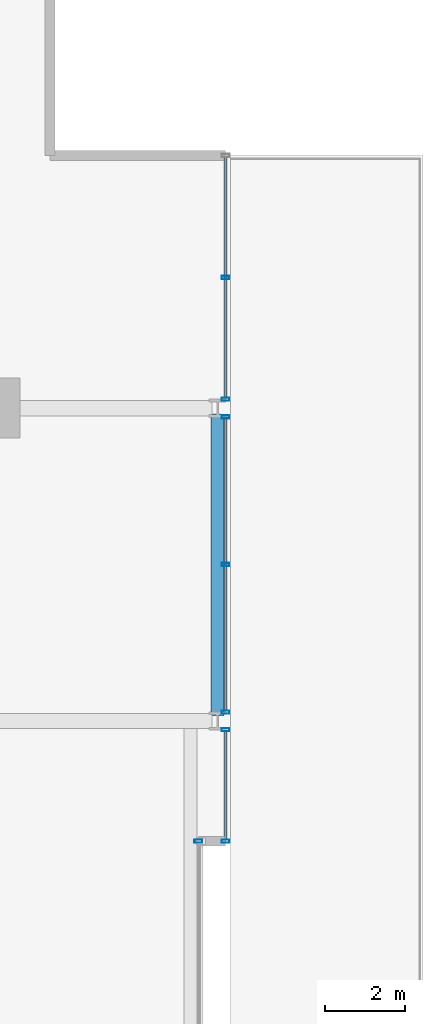
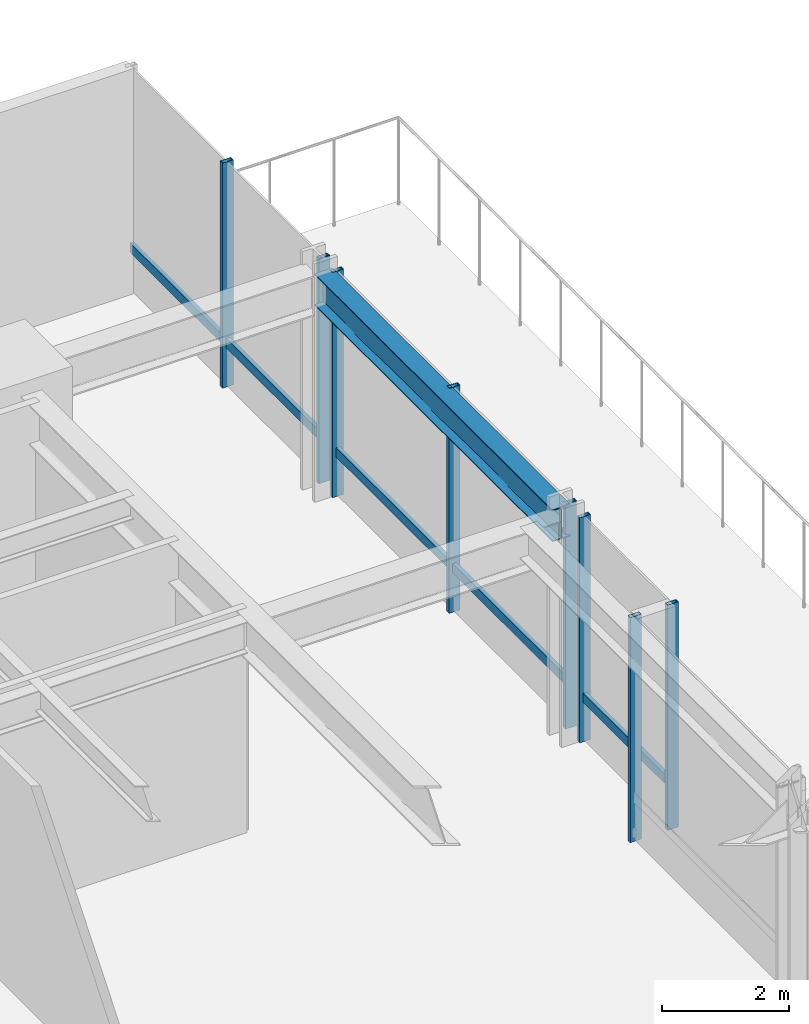
# One storey, part 24 of 33: 11 members, 1 beam, 4 elements without a shape of their own.
"""IFC4 building model written with IfcOpenShell, lengths in metres."""

from ifc_helpers import new_model, si_unit, direction, frame, origin, origin_2d, place, context, subcontext, project, spatial, hollow_rectangle, i_section, extrude, material, layer, layer_set, material_profile, profile_set, type_object, element, aggregate, save


model = new_model("IFC4")

# Units and contexts
model_context = context("Model", 3, precision=1e-05, world=origin(), true_north=direction((0.0, 1.0)))
body_context = subcontext(model_context, "Body", "Model", "MODEL_VIEW")
ifc_project = project(units=[si_unit("LENGTHUNIT", "METRE"), si_unit("AREAUNIT", "SQUARE_METRE"), si_unit("VOLUMEUNIT", "CUBIC_METRE"), si_unit("PLANEANGLEUNIT", "RADIAN"), si_unit("MASSUNIT", "GRAM", prefix="KILO")], contexts=[model_context])

# Site, building, storey
site_placement = place(None, origin())
site = spatial("IfcSite", under=ifc_project, at=site_placement, CompositionType="ELEMENT")
building_placement = place(site_placement, origin())
building = spatial("IfcBuilding", under=site, at=building_placement, Name="Drelvath Grand Hotel", CompositionType="ELEMENT")
storey_placement = place(building_placement, frame((0.0, 0.0, 87.199951171875)))
storey = spatial("IfcBuildingStorey", under=building, at=storey_placement, Name="L21", CompositionType="ELEMENT", Elevation=87.199951171875)

# Curtain wall, member
ifc_material_1 = material(Name="Champagne Bronze Anodised Aluminium Frame", Category="aluminium")
ifc_layer = layer(ifc_material_1, 0.199951171875)
ifc_layer_set = layer_set([ifc_layer], Name="Champagne Bronze Anodised Aluminium Frame")
curtain_wall_type = type_object("IfcCurtainWallType", Name="Stick Curtain Wall CW-03 Champagne Bronze Mid-Rise", PredefinedType="NOTDEFINED", material=ifc_layer_set)
curtain_wall_1_placement = place(storey_placement, origin())
curtain_wall_1 = element("IfcCurtainWall", 1, at=curtain_wall_1_placement, inside=storey, type_object=curtain_wall_type, Name="L21 CW-03 Curtain Wall CW03-L21-EN1", PredefinedType="NOTDEFINED")
ifc_material_profile_1 = material_profile(ifc_material_1, hollow_rectangle(XDim=0.074951171875, YDim=0.179931640625, WallThickness=0.0048828125, at=origin_2d()), Name="HSS180X75X5")
ifc_profile_set_1 = profile_set([ifc_material_profile_1], Name="Champagne Bronze Anodised Aluminium Frame")
member_type_1 = type_object("IfcMemberType", Name="Curtain Wall Horizontal Transom CW-03 HSS180X75X5", PredefinedType="USERDEFINED", material=ifc_profile_set_1)
member_1_placement = place(storey_placement, frame((22.080078125, 35.140380859375, 0.85009765625), z_axis=(0.0, -1.0, 0.0), x_axis=(1.0, 0.0, 0.0)))
member_1 = element("IfcMember", 2, at=member_1_placement, type_object=member_type_1, Name="CW03-L21-EN1 Sill Transom", ObjectType="TRANSOM", PredefinedType="USERDEFINED", context=body_context, shape_type="SweptSolid", body=[
    extrude(hollow_rectangle(XDim=0.074951171875, YDim=0.179931640625, WallThickness=0.0048828125, at=origin_2d()), origin(), (0.0, 0.0, 1.0), 2.700439453125),
])

curtain_wall_2_placement = place(storey_placement, origin())
curtain_wall_2 = element("IfcCurtainWall", 3, at=curtain_wall_2_placement, inside=storey, type_object=curtain_wall_type, Name="L21 CW-03 Curtain Wall CW03-L21-EN2", PredefinedType="NOTDEFINED")
member_2_placement = place(storey_placement, frame((22.080078125, 42.9404296875, 0.85009765625), z_axis=(0.0, -1.0, 0.0), x_axis=(1.0, 0.0, 0.0)))
member_2 = element("IfcMember", 4, at=member_2_placement, type_object=member_type_1, Name="CW03-L21-EN2 Sill Transom", ObjectType="TRANSOM", PredefinedType="USERDEFINED", context=body_context, shape_type="SweptSolid", body=[
    extrude(hollow_rectangle(XDim=0.074951171875, YDim=0.179931640625, WallThickness=0.0048828125, at=origin_2d()), origin(), (0.0, 0.0, 1.0), 7.28076171875),
])

curtain_wall_3_placement = place(storey_placement, origin())
curtain_wall_3 = element("IfcCurtainWall", 5, at=curtain_wall_3_placement, inside=storey, type_object=curtain_wall_type, Name="L21 CW-03 Curtain Wall CW03-L21-EN3", PredefinedType="NOTDEFINED")
member_3_placement = place(storey_placement, frame((22.080078125, 49.4599609375, 0.85009765625), z_axis=(0.0, -1.0, 0.0), x_axis=(1.0, 0.0, 0.0)))
member_3 = element("IfcMember", 6, at=member_3_placement, type_object=member_type_1, Name="CW03-L21-EN3 Sill Transom", ObjectType="TRANSOM", PredefinedType="USERDEFINED", context=body_context, shape_type="SweptSolid", body=[
    extrude(hollow_rectangle(XDim=0.074951171875, YDim=0.179931640625, WallThickness=0.0048828125, at=origin_2d()), origin(), (0.0, 0.0, 1.0), 6.000244140625),
])

# Member
ifc_material_profile_2 = material_profile(ifc_material_1, hollow_rectangle(XDim=0.080078125, YDim=0.199951171875, WallThickness=0.0048828125, at=origin_2d()), Name="HSS200X80X5")
ifc_profile_set_2 = profile_set([ifc_material_profile_2], Name="Champagne Bronze Anodised Aluminium Frame")
member_type_2 = type_object("IfcMemberType", Name="Curtain Wall Vertical Mullion CW-03 HSS200X80X5", PredefinedType="MULLION", material=ifc_profile_set_2)
member_4_placement = place(storey_placement, frame((22.080078125, 35.180419921875, 0.0), z_axis=(0.0, 0.0, 1.0), x_axis=(0.0, 1.0, 0.0)))
member_4 = element("IfcMember", 7, at=member_4_placement, type_object=member_type_2, Name="CW03-L21-EN1 Mullion 1", PredefinedType="MULLION", context=body_context, shape_type="SweptSolid", body=[
    extrude(hollow_rectangle(XDim=0.080078125, YDim=0.199951171875, WallThickness=0.0048828125, at=origin_2d()), origin(), (0.0, 0.0, 1.0), 4.340087890625),
])

member_5_placement = place(storey_placement, frame((22.080078125, 32.39990234375, 0.0), z_axis=(0.0, 0.0, 1.0), x_axis=(0.0, 1.0, 0.0)))
member_5 = element("IfcMember", 8, at=member_5_placement, type_object=member_type_2, Name="CW03-L21-EN1 Mullion 2", PredefinedType="MULLION", context=body_context, shape_type="SweptSolid", body=[
    extrude(hollow_rectangle(XDim=0.080078125, YDim=0.199951171875, WallThickness=0.0048828125, at=origin_2d()), origin(), (0.0, 0.0, 1.0), 4.340087890625),
])

aggregate(curtain_wall_1, [member_4, member_5, member_1])

member_6_placement = place(storey_placement, frame((22.080078125, 42.98046875, 0.0), z_axis=(0.0, 0.0, 1.0), x_axis=(0.0, 1.0, 0.0)))
member_6 = element("IfcMember", 9, at=member_6_placement, type_object=member_type_2, Name="CW03-L21-EN2 Mullion 1", PredefinedType="MULLION", context=body_context, shape_type="SweptSolid", body=[
    extrude(hollow_rectangle(XDim=0.080078125, YDim=0.199951171875, WallThickness=0.0048828125, at=origin_2d()), origin(), (0.0, 0.0, 1.0), 4.340087890625),
])

member_7_placement = place(storey_placement, frame((22.080078125, 39.300048828125, 0.0), z_axis=(0.0, 0.0, 1.0), x_axis=(0.0, 1.0, 0.0)))
member_7 = element("IfcMember", 10, at=member_7_placement, type_object=member_type_2, Name="CW03-L21-EN2 Mullion 2", PredefinedType="MULLION", context=body_context, shape_type="SweptSolid", body=[
    extrude(hollow_rectangle(XDim=0.080078125, YDim=0.199951171875, WallThickness=0.0048828125, at=origin_2d()), origin(), (0.0, 0.0, 1.0), 4.340087890625),
])

member_8_placement = place(storey_placement, frame((22.080078125, 35.61962890625, 0.0), z_axis=(0.0, 0.0, 1.0), x_axis=(0.0, 1.0, 0.0)))
member_8 = element("IfcMember", 11, at=member_8_placement, type_object=member_type_2, Name="CW03-L21-EN2 Mullion 3", PredefinedType="MULLION", context=body_context, shape_type="SweptSolid", body=[
    extrude(hollow_rectangle(XDim=0.080078125, YDim=0.199951171875, WallThickness=0.0048828125, at=origin_2d()), origin(), (0.0, 0.0, 1.0), 4.340087890625),
])

aggregate(curtain_wall_2, [member_6, member_7, member_8, member_2])

member_9_placement = place(storey_placement, frame((22.080078125, 46.459716796875, 0.0), z_axis=(0.0, 0.0, 1.0), x_axis=(0.0, 1.0, 0.0)))
member_9 = element("IfcMember", 12, at=member_9_placement, type_object=member_type_2, Name="CW03-L21-EN3 Mullion 2", PredefinedType="MULLION", context=body_context, shape_type="SweptSolid", body=[
    extrude(hollow_rectangle(XDim=0.080078125, YDim=0.199951171875, WallThickness=0.0048828125, at=origin_2d()), origin(), (0.0, 0.0, 1.0), 4.340087890625),
])

member_10_placement = place(storey_placement, frame((22.080078125, 43.419677734375, 0.0), z_axis=(0.0, 0.0, 1.0), x_axis=(0.0, 1.0, 0.0)))
member_10 = element("IfcMember", 13, at=member_10_placement, type_object=member_type_2, Name="CW03-L21-EN3 Mullion 3", PredefinedType="MULLION", context=body_context, shape_type="SweptSolid", body=[
    extrude(hollow_rectangle(XDim=0.080078125, YDim=0.199951171875, WallThickness=0.0048828125, at=origin_2d()), origin(), (0.0, 0.0, 1.0), 4.340087890625),
])

aggregate(curtain_wall_3, [member_9, member_10, member_3])

# Curtain wall, member
curtain_wall_4_placement = place(storey_placement, origin())
curtain_wall_4 = element("IfcCurtainWall", 14, at=curtain_wall_4_placement, inside=storey, type_object=curtain_wall_type, Name="L21 CW-03 Curtain Wall CW03-L21-EM2", PredefinedType="NOTDEFINED")
member_11_placement = place(storey_placement, frame((21.39990234375, 32.39990234375, 0.0), z_axis=(0.0, 0.0, 1.0), x_axis=(0.0, 1.0, 0.0)))
member_11 = element("IfcMember", 15, at=member_11_placement, type_object=member_type_2, Name="CW03-L21-EM2 Mullion 1", PredefinedType="MULLION", context=body_context, shape_type="SweptSolid", body=[
    extrude(hollow_rectangle(XDim=0.080078125, YDim=0.199951171875, WallThickness=0.0048828125, at=origin_2d()), origin(), (0.0, 0.0, 1.0), 4.340087890625),
])
aggregate(curtain_wall_4, [member_11])

# Beam
ifc_material_2 = material(Name="Steel ASTM A992 Gr 50", Category="steel")
ifc_material_profile_3 = material_profile(ifc_material_2, i_section(OverallWidth=0.323974609375, OverallDepth=0.611083984375, WebThickness=0.0126953125, FlangeThickness=0.01904296875, FilletRadius=0.02197265625, at=origin_2d()), Name="W24X104")
ifc_profile_set_3 = profile_set([ifc_material_profile_3], Name="Steel ASTM A992 Gr 50")
beam_type = type_object("IfcBeamType", Name="Perimeter Spandrel Beam W24X104", PredefinedType="SPANDREL", material=ifc_profile_set_3)
beam_placement = place(storey_placement, frame((21.8798828125, 35.5400390625, 4.03466796875), z_axis=(0.0, 1.0, 0.0), x_axis=(-1.0, 0.0, 0.0)))
element("IfcBeam", 16, at=beam_placement, inside=storey, type_object=beam_type, Name="L21 Spandrel East N", PredefinedType="SPANDREL", context=body_context, shape_type="SweptSolid", body=[
    extrude(i_section(OverallWidth=0.323974609375, OverallDepth=0.611083984375, WebThickness=0.0126953125, FlangeThickness=0.01904296875, FilletRadius=0.02197265625, at=origin_2d()), origin(), (0.0, 0.0, 1.0), 7.52001953125),
])

save(model, "model.ifc")
